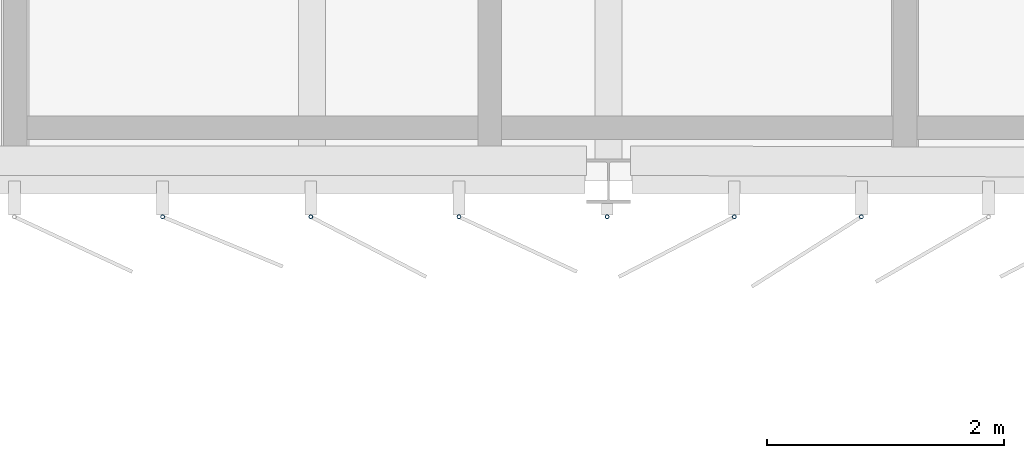
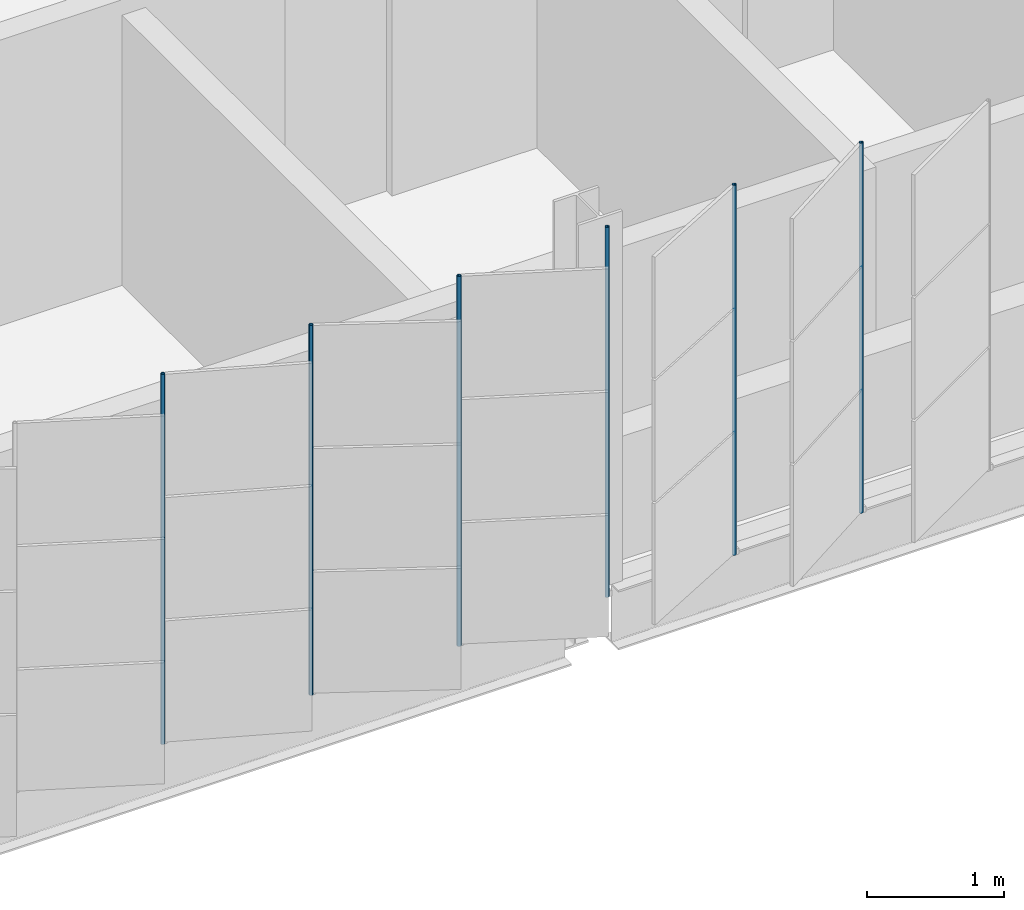
# One storey, part 95 of 214: 6 discrete accessories.
"""IFC4 building model written with IfcOpenShell, lengths in metres."""

from ifc_helpers import new_model, si_unit, direction, frame, origin, origin_2d, place, context, subcontext, project, spatial, hollow_circle, extrude, material, material_profile, profile_set, type_object, element, save


model = new_model("IFC4")

# Units and contexts
model_context = context("Model", 3, precision=1e-05, world=origin(), true_north=direction((0.0, 1.0)))
body_context = subcontext(model_context, "Body", "Model", "MODEL_VIEW")
ifc_project = project(units=[si_unit("LENGTHUNIT", "METRE"), si_unit("AREAUNIT", "SQUARE_METRE"), si_unit("VOLUMEUNIT", "CUBIC_METRE"), si_unit("PLANEANGLEUNIT", "RADIAN"), si_unit("MASSUNIT", "GRAM", prefix="KILO")], contexts=[model_context])

# Site, building, storey
site_placement = place(None, origin())
site = spatial("IfcSite", under=ifc_project, at=site_placement, CompositionType="ELEMENT")
building_placement = place(site_placement, origin())
building = spatial("IfcBuilding", under=site, at=building_placement, Name="Parallax Yard Mobility Hub", CompositionType="ELEMENT")
storey_placement = place(building_placement, frame((0.0, 0.0, 3.300048828125)))
storey = spatial("IfcBuildingStorey", under=building, at=storey_placement, Name="L01", CompositionType="ELEMENT", Elevation=3.300048828125)

# Discrete accessories
ifc_material = material(Name="Steel ASTM A500 Gr C, hot-dip galvanised", Category="steel")
ifc_material_profile = material_profile(ifc_material, hollow_circle(Radius=0.016845703125, WallThickness=0.003173828125, at=origin_2d()), Name="CHS 33.7x3.2")
ifc_profile_set = profile_set([ifc_material_profile], Name="Steel ASTM A500 Gr C, hot-dip galvanised")
discrete_accessory_type = type_object("IfcDiscreteAccessoryType", Name="Hinge post CHS 33.7x3.2", PredefinedType="BRACKET", material=ifc_profile_set)
for number, where, z_axis, x_axis, name in (
    (1, (86.24169921875, 112.199951171875, 0.0), (0.0, 0.0, 1.0), (1.0, 0.0, 0.0), "Hinge post bay 7.4 level L01"),
    (2, (87.490966796875, 112.199951171875, 0.0), (0.0, 0.0, 1.0), (1.0, 0.0, 0.0), "Hinge post bay 7.5 level L01"),
    (3, (88.739990234375, 112.199951171875, 0.0), (0.0, 0.0, 1.0), (1.0, 0.0, 0.0), "Hinge post bay 7.6 level L01"),
    (4, (89.989501953125, 112.199951171875, 0.0), (0.0, 0.0, 1.0), (1.0, 0.0, 0.0), "Hinge post bay 8.1 level L01"),
    (5, (91.060791015625, 112.199951171875, 0.0), (0.0, 0.0, 1.0), (1.0, 0.0, 0.0), "Hinge post bay 8.2 level L01"),
    (6, (92.13232421875, 112.199951171875, 0.0), (0.0, 0.0, 1.0), (1.0, 0.0, 0.0), "Hinge post bay 8.3 level L01"),
):
    element("IfcDiscreteAccessory", number, at=place(storey_placement, frame(where, z_axis=z_axis, x_axis=x_axis)), inside=storey, type_object=discrete_accessory_type, Name=name, PredefinedType="BRACKET", context=body_context, shape_type="SweptSolid", body=[
        extrude(hollow_circle(Radius=0.016845703125, WallThickness=0.003173828125, at=origin_2d()), origin(), (0.0, 0.0, 1.0), 3.300048828125),
    ])

save(model, "model.ifc")
